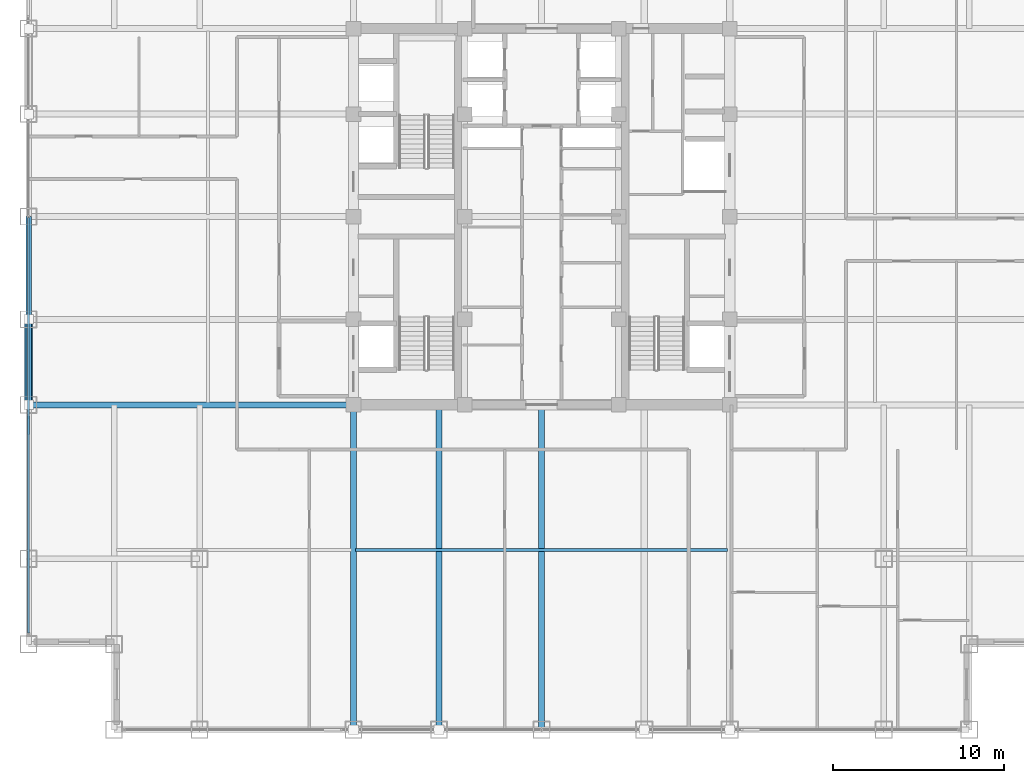
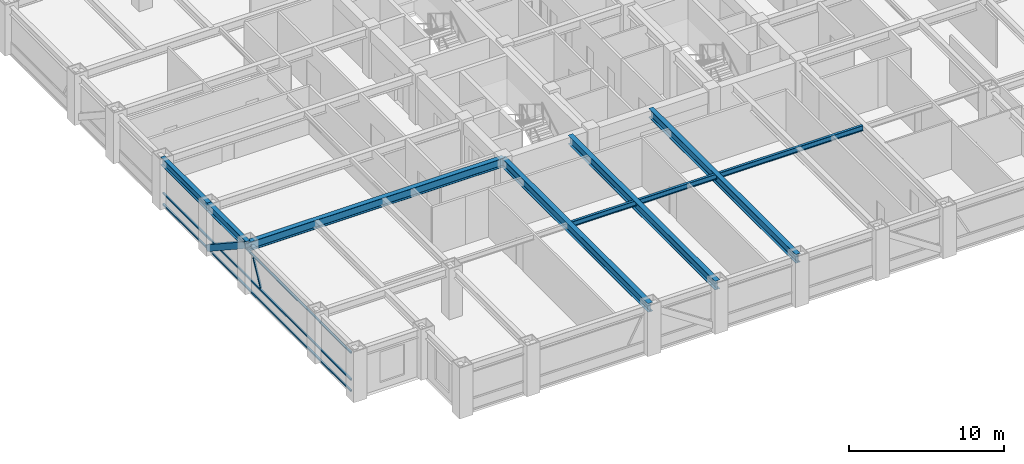
# One storey, part 5 of 25: 7 beams, 5 members, 1 element without a shape of its own.
"""IFC4 building model written with IfcOpenShell, lengths in metres."""

from ifc_helpers import new_model, si_unit, direction, frame, origin, origin_2d, place, context, subcontext, project, spatial, hollow_rectangle, i_section, extrude, source, transform, mapped, material, material_profile, profile_set, type_object, element, aggregate, save


model = new_model("IFC4")

# Units and contexts
model_context = context("Model", 3, precision=1e-05, world=origin(), true_north=direction((0.0, 1.0)))
body_context = subcontext(model_context, "Body", "Model", "MODEL_VIEW")
ifc_project = project(units=[si_unit("LENGTHUNIT", "METRE"), si_unit("AREAUNIT", "SQUARE_METRE"), si_unit("VOLUMEUNIT", "CUBIC_METRE"), si_unit("PLANEANGLEUNIT", "RADIAN"), si_unit("MASSUNIT", "GRAM", prefix="KILO")], contexts=[model_context])

# Site, building, storey
site_placement = place(None, origin())
site = spatial("IfcSite", under=ifc_project, at=site_placement, CompositionType="ELEMENT")
building_placement = place(site_placement, origin())
building = spatial("IfcBuilding", under=site, at=building_placement, Name="Khorayat Bourse Tower", CompositionType="ELEMENT")
storey_placement = place(building_placement, frame((0.0, 0.0, 251.10009765625)))
storey = spatial("IfcBuildingStorey", under=building, at=storey_placement, Name="L59", CompositionType="ELEMENT", Elevation=251.10009765625)

# Beams
ifc_material_1 = material(Name="Steel ASTM A992 Grade 50", Category="steel")
ifc_material_profile_1 = material_profile(ifc_material_1, i_section(OverallWidth=0.180908203125, OverallDepth=0.4169921875, WebThickness=0.010986328125, FlangeThickness=0.018310546875, FilletRadius=0.011962890625, at=origin_2d()), Name="W410X85")
ifc_profile_set_1 = profile_set([ifc_material_profile_1], Name="Steel ASTM A992 Grade 50")
beam_type_1 = type_object("IfcBeamType", Name="BM-JOIST-410", PredefinedType="JOIST", material=ifc_profile_set_1)
shared_shape_1 = source(origin(), body_context, "Body", "SweptSolid", [
    extrude(i_section(OverallWidth=0.180908203125, OverallDepth=0.4169921875, WebThickness=0.010986328125, FlangeThickness=0.018310546875, FilletRadius=0.011962890625, at=origin_2d()), origin(), (0.0, 0.0, 1.0), 21.740234375),
])
beam_1_placement = place(storey_placement, frame((-10.8701171875, -19.5, 3.5712890625), z_axis=(1.0, 0.0, 0.0), x_axis=(0.0, 1.0, 0.0)))
element("IfcBeam", 1, at=beam_1_placement, inside=storey, type_object=beam_type_1, Name="L59 BM-JOIST-410 BM-L59-JSTX-097", PredefinedType="JOIST", context=body_context, shape_type="MappedRepresentation", body=[
    mapped(shared_shape_1, transform((0.0, 0.0, 0.0), scale=1.0)),
])
ifc_material_profile_2 = material_profile(ifc_material_1, i_section(OverallWidth=0.324951171875, OverallDepth=0.615966796875, WebThickness=0.013916015625, FlangeThickness=0.021484375, FilletRadius=0.01611328125, at=origin_2d()), Name="W610X174")
ifc_profile_set_2 = profile_set([ifc_material_profile_2], Name="Steel ASTM A992 Grade 50")
beam_type_2 = type_object("IfcBeamType", Name="BM-SPAN-610", PredefinedType="SPANDREL", material=ifc_profile_set_2)
shared_shape_2 = source(origin(), body_context, "Body", "SweptSolid", [
    extrude(i_section(OverallWidth=0.324951171875, OverallDepth=0.615966796875, WebThickness=0.013916015625, FlangeThickness=0.021484375, FilletRadius=0.01611328125, at=origin_2d()), origin(), (0.0, 0.0, 1.0), 5.0),
])
beam_2_placement = place(storey_placement, frame((-30.0, -11.0, 3.471923828125), z_axis=(0.0, 1.0, 0.0), x_axis=(-1.0, 0.0, 0.0)))
element("IfcBeam", 2, at=beam_2_placement, inside=storey, type_object=beam_type_2, Name="L59 BM-SPAN-610 BM-L59-SPN-059", PredefinedType="SPANDREL", context=body_context, shape_type="MappedRepresentation", body=[
    mapped(shared_shape_2, transform((0.0, 0.0, 0.0), scale=1.0)),
])
shared_shape_3 = source(origin(), body_context, "Body", "SweptSolid", [
    extrude(i_section(OverallWidth=0.324951171875, OverallDepth=0.615966796875, WebThickness=0.013916015625, FlangeThickness=0.021484375, FilletRadius=0.01611328125, at=origin_2d()), origin(), (0.0, 0.0, 1.0), 6.0),
])
beam_3_placement = place(storey_placement, frame((-30.0, -6.0, 3.471923828125), z_axis=(0.0, 1.0, 0.0), x_axis=(-1.0, 0.0, 0.0)))
element("IfcBeam", 3, at=beam_3_placement, inside=storey, type_object=beam_type_2, Name="L59 BM-SPAN-610 BM-L59-SPN-058", PredefinedType="SPANDREL", context=body_context, shape_type="MappedRepresentation", body=[
    mapped(shared_shape_3, transform((0.0, 0.0, 0.0), scale=1.0)),
])
ifc_material_profile_3 = material_profile(ifc_material_1, i_section(OverallWidth=0.35498046875, OverallDepth=0.695068359375, WebThickness=0.015380859375, FlangeThickness=0.02490234375, FilletRadius=0.01806640625, at=origin_2d()), Name="W690X217")
ifc_profile_set_3 = profile_set([ifc_material_profile_3], Name="Steel ASTM A992 Grade 50")
beam_type_3 = type_object("IfcBeamType", Name="BM-GIRD-690", PredefinedType="BEAM", material=ifc_profile_set_3)
shared_shape_4 = source(origin(), body_context, "Body", "SweptSolid", [
    extrude(i_section(OverallWidth=0.35498046875, OverallDepth=0.695068359375, WebThickness=0.015380859375, FlangeThickness=0.02490234375, FilletRadius=0.01806640625, at=origin_2d()), origin(), (0.0, 0.0, 1.0), 19.0),
])
for number, where, z_axis, x_axis, name in (
    (4, (-11.0, -30.0, 3.432373046875), (0.0, 1.0, 0.0), (-1.0, 0.0, 0.0), "L59 BM-GIRD-690 BM-L59-RADY-065"),
    (5, (-6.0, -30.0, 3.432373046875), (0.0, 1.0, 0.0), (-1.0, 0.0, 0.0), "L59 BM-GIRD-690 BM-L59-RADY-067"),
    (6, (0.0, -30.0, 3.432373046875), (0.0, 1.0, 0.0), (-1.0, 0.0, 0.0), "L59 BM-GIRD-690 BM-L59-RADY-069"),
    (7, (-30.0, -11.0, 3.432373046875), (1.0, 0.0, 0.0), (0.0, 1.0, 0.0), "L59 BM-GIRD-690 BM-L59-RADX-075"),
):
    element("IfcBeam", number, at=place(storey_placement, frame(where, z_axis=z_axis, x_axis=x_axis)), inside=storey, type_object=beam_type_3, Name=name, PredefinedType="BEAM", context=body_context, shape_type="MappedRepresentation", body=[
        mapped(shared_shape_4, transform((0.0, 0.0, 0.0), scale=1.0)),
    ])

# Member
ifc_material_2 = material(Name="Steel EN 10025-4 S460M", Category="steel")
ifc_material_profile_4 = material_profile(ifc_material_2, hollow_rectangle(XDim=0.449951171875, YDim=0.449951171875, WallThickness=0.02490234375, at=origin_2d()), Name="HSS 450x450x25")
ifc_profile_set_4 = profile_set([ifc_material_profile_4], Name="Steel EN 10025-4 S460M")
member_type_1 = type_object("IfcMemberType", Name="MBR-TUBE-450", PredefinedType="BRACE", material=ifc_profile_set_4)
shared_shape_5 = source(origin(), body_context, "Body", "SweptSolid", [
    extrude(hollow_rectangle(XDim=0.449951171875, YDim=0.449951171875, WallThickness=0.02490234375, at=origin_2d()), origin(), (0.0, 0.0, 1.0), 5.979736328125),
])
member_1_placement = place(storey_placement, frame((-30.0, -11.0, 3.52978515625), z_axis=(0.0, 0.836160261256, -0.548485202623), x_axis=(-1.0, 0.0, 0.0)))
element("IfcMember", 8, at=member_1_placement, inside=storey, type_object=member_type_1, Name="L59 Perimeter Tube Brace 05", PredefinedType="BRACE", context=body_context, shape_type="MappedRepresentation", body=[
    mapped(shared_shape_5, transform((0.0, 0.0, 0.0), scale=1.0)),
])

# Curtain wall, members
ifc_material_3 = material(Name="Aluminium EN AW-6063 T6", Category="aluminium")
curtain_wall_type = type_object("IfcCurtainWallType", Name="CW-SYS-03", PredefinedType="NOTDEFINED", material=ifc_material_3)
curtain_wall_placement = place(storey_placement, origin())
curtain_wall = element("IfcCurtainWall", 9, at=curtain_wall_placement, inside=storey, type_object=curtain_wall_type, Name="L59 Curtain Wall CW-L59-W1", PredefinedType="NOTDEFINED")
ifc_material_profile_5 = material_profile(ifc_material_3, hollow_rectangle(XDim=0.1201171875, YDim=0.1201171875, WallThickness=0.0048828125, at=origin_2d()), Name="ALU 120x120x5")
ifc_profile_set_5 = profile_set([ifc_material_profile_5], Name="Aluminium EN AW-6063 T6")
member_type_2 = type_object("IfcMemberType", Name="CWM-DIAG-120", PredefinedType="MULLION", material=ifc_profile_set_5)
shared_shape_6 = source(origin(), body_context, "Body", "SweptSolid", [
    extrude(hollow_rectangle(XDim=0.1201171875, YDim=0.1201171875, WallThickness=0.0048828125, at=origin_2d()), origin(), (0.0, 0.0, 1.0), 2.079345703125),
])
member_2_placement = place(storey_placement, frame((-30.0, -12.67919921875, 1.08984375), z_axis=(0.0, 0.465760949701, 0.884910581773), x_axis=(-1.0, 0.0, 0.0)))
member_2 = element("IfcMember", 10, at=member_2_placement, type_object=member_type_2, Name="CW-L59-W1 Faceted Diagonal Mullion 1", PredefinedType="MULLION", context=body_context, shape_type="MappedRepresentation", body=[
    mapped(shared_shape_6, transform((0.0, 0.0, 0.0), scale=1.0)),
])
ifc_material_profile_6 = material_profile(ifc_material_3, hollow_rectangle(XDim=0.1201171875, YDim=0.1201171875, WallThickness=0.0048828125, at=origin_2d()), Name="ALU 120x120x5")
ifc_profile_set_6 = profile_set([ifc_material_profile_6], Name="Aluminium EN AW-6063 T6")
member_type_3 = type_object("IfcMemberType", Name="CWT-HORZ-120", PredefinedType="USERDEFINED", material=ifc_profile_set_6)
shared_shape_7 = source(origin(), body_context, "Body", "SweptSolid", [
    extrude(hollow_rectangle(XDim=0.1201171875, YDim=0.1201171875, WallThickness=0.0048828125, at=origin_2d()), origin(), (0.0, 0.0, 1.0), 24.27001953125),
])
member_3_placement = place(storey_placement, frame((-30.0, -24.330078125, 0.059814453125), z_axis=(0.0, 1.0, 0.0), x_axis=(-1.0, 0.0, 0.0)))
member_3 = element("IfcMember", 11, at=member_3_placement, type_object=member_type_3, Name="CW-L59-W1 Horizontal Transom 1-1", ObjectType="TRANSOM", PredefinedType="USERDEFINED", context=body_context, shape_type="MappedRepresentation", body=[
    mapped(shared_shape_7, transform((0.0, 0.0, 0.0), scale=1.0)),
])
member_4_placement = place(storey_placement, frame((-30.0, -24.330078125, 0.949951171875), z_axis=(0.0, 1.0, 0.0), x_axis=(-1.0, 0.0, 0.0)))
member_4 = element("IfcMember", 12, at=member_4_placement, type_object=member_type_3, Name="CW-L59-W1 Horizontal Transom 1-2", ObjectType="TRANSOM", PredefinedType="USERDEFINED", context=body_context, shape_type="MappedRepresentation", body=[
    mapped(shared_shape_7, transform((0.0, 0.0, 0.0), scale=1.0)),
])
member_5_placement = place(storey_placement, frame((-30.0, -24.330078125, 3.06982421875), z_axis=(0.0, 1.0, 0.0), x_axis=(-1.0, 0.0, 0.0)))
member_5 = element("IfcMember", 13, at=member_5_placement, type_object=member_type_3, Name="CW-L59-W1 Horizontal Transom 1-3", ObjectType="TRANSOM", PredefinedType="USERDEFINED", context=body_context, shape_type="MappedRepresentation", body=[
    mapped(shared_shape_7, transform((0.0, 0.0, 0.0), scale=1.0)),
])
aggregate(curtain_wall, [member_3, member_4, member_5, member_2])

save(model, "model.ifc")
